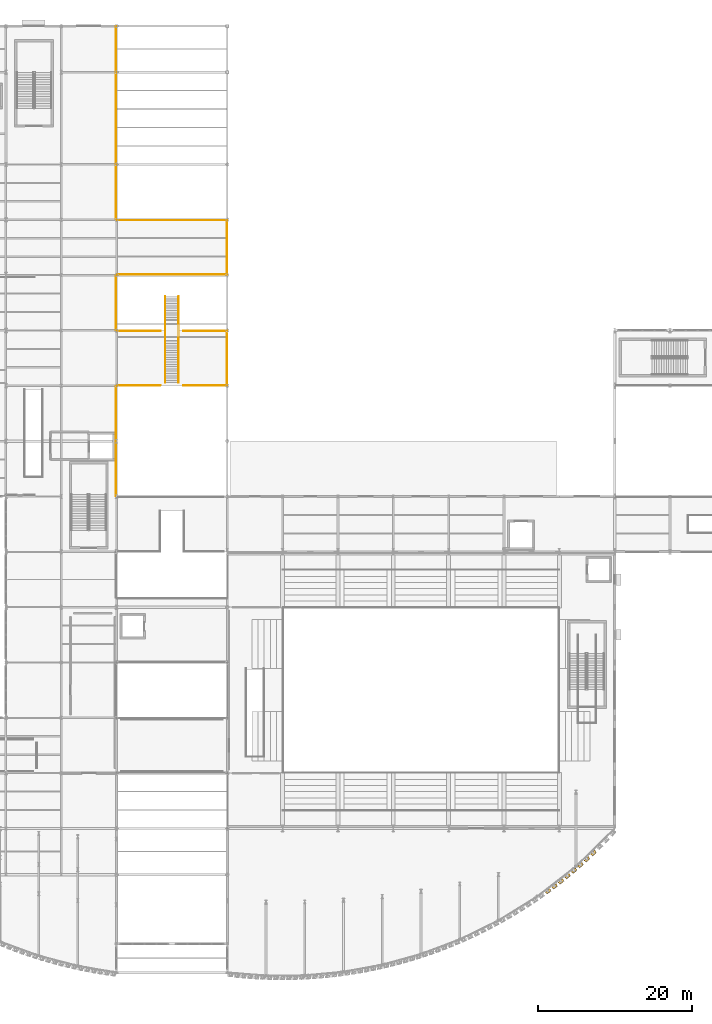
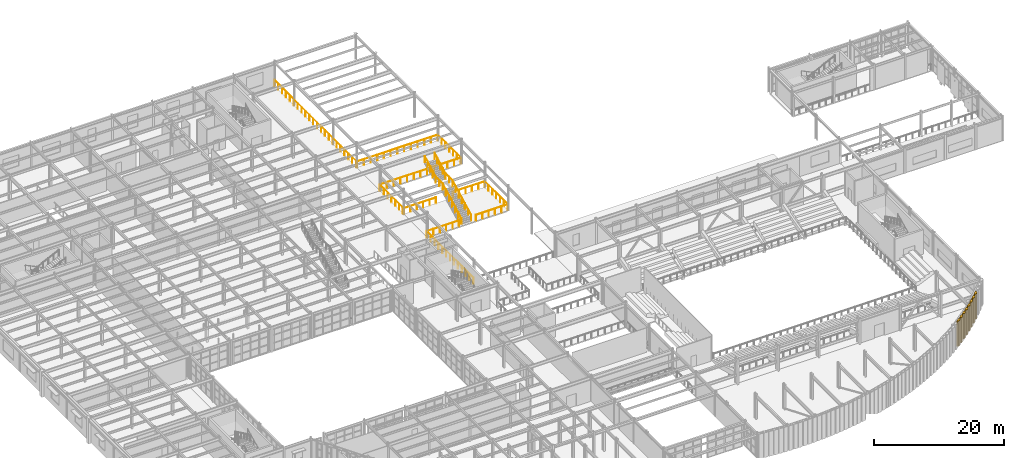
# One storey, part 118 of 121: 13 railings, 8 coverings.
"""IFC4 building model written with IfcOpenShell, lengths in metres."""

from ifc_helpers import new_model, si_unit, direction, frame, origin, origin_2d, place, context, subcontext, project, spatial, polyline, circle, outline, extrude, material, layer, layer_set, type_object, element, save


model = new_model("IFC4")

# Units and contexts
model_context = context("Model", 3, precision=1e-05, world=origin(), true_north=direction((0.0, 1.0)))
body_context = subcontext(model_context, "Body", "Model", "MODEL_VIEW")
ifc_project = project(units=[si_unit("LENGTHUNIT", "METRE"), si_unit("AREAUNIT", "SQUARE_METRE"), si_unit("VOLUMEUNIT", "CUBIC_METRE"), si_unit("PLANEANGLEUNIT", "RADIAN"), si_unit("MASSUNIT", "GRAM", prefix="KILO")], contexts=[model_context])

# Site, building, storey
site_placement = place(None, origin())
site = spatial("IfcSite", under=ifc_project, at=site_placement, CompositionType="ELEMENT")
building_placement = place(site_placement, origin())
building = spatial("IfcBuilding", under=site, at=building_placement, Name="Solvadek Multi-Sports Hall", CompositionType="ELEMENT")
storey_placement = place(building_placement, frame((0.0, 0.0, 4.800048828125)))
storey = spatial("IfcBuildingStorey", under=building, at=storey_placement, Name="L01", CompositionType="ELEMENT", Elevation=4.800048828125)

# Coverings
ifc_material_1 = material(Name="Perforated champagne-bronze anodised aluminium", Category="aluminium")
ifc_layer = layer(ifc_material_1, 0.06494140625, Name="Perforated champagne-bronze anodised aluminium")
ifc_layer_set = layer_set([ifc_layer], Name="Perforated champagne-bronze anodised aluminium")
covering_type = type_object("IfcCoveringType", Name="ENV-COV-FLUTED", PredefinedType="CLADDING", material=ifc_layer_set)
covering_1_placement = place(storey_placement, frame((0.0, 0.0, 0.010009765625)))
element("IfcCovering", 1, at=covering_1_placement, inside=storey, type_object=covering_type, Name="L01 Perforated Bronze Half-Cylinder Fluted Shell #206", PredefinedType="CLADDING", context=body_context, shape_type="SweptSolid", body=[
    extrude(outline(polyline([(128.371337890625, -1.793701171875), (128.4375, -1.939208984375), (128.443115234375, -2.09912109375), (128.38671875, -2.248779296875), (128.277587890625, -2.36572265625), (128.132080078125, -2.431884765625), (127.97216796875, -2.4375), (127.822265625, -2.38134765625), (127.705322265625, -2.272216796875), (127.75830078125, -2.234130859375), (127.67236328125, -2.326171875), (127.64208984375, -2.373291015625), (127.67236328125, -2.36865234375), (127.75830078125, -2.31298828125), (127.88671875, -2.214599609375), (128.038330078125, -2.088623046875), (128.18994140625, -1.9541015625), (128.318603515625, -1.83154296875), (128.371337890625, -1.793701171875)])), origin(), (0.0, 0.0, 1.0), 4.77001953125),
])
covering_2_placement = place(storey_placement, frame((0.0, 0.0, 0.010009765625)))
element("IfcCovering", 2, at=covering_2_placement, inside=storey, type_object=covering_type, Name="L01 Perforated Bronze Half-Cylinder Fluted Shell #209", PredefinedType="CLADDING", context=body_context, shape_type="SweptSolid", body=[
    extrude(outline(polyline([(129.205322265625, -1.15234375), (129.27685546875, -1.29541015625), (129.2880859375, -1.455078125), (129.2373046875, -1.606689453125), (129.13232421875, -1.7275390625), (128.9892578125, -1.798828125), (128.82958984375, -1.810302734375), (128.677978515625, -1.759521484375), (128.55712890625, -1.654541015625), (128.6083984375, -1.61474609375), (128.52490234375, -1.702880859375), (128.49560546875, -1.74560546875), (128.52490234375, -1.736083984375), (128.6083984375, -1.676025390625), (128.733642578125, -1.574462890625), (128.881103515625, -1.44677734375), (129.02880859375, -1.3125), (129.154052734375, -1.192138671875), (129.205322265625, -1.15234375)])), origin(), (0.0, 0.0, 1.0), 4.77001953125),
])
covering_3_placement = place(storey_placement, frame((0.0, 0.0, 0.010009765625)))
element("IfcCovering", 3, at=covering_3_placement, inside=storey, type_object=covering_type, Name="L01 Perforated Bronze Half-Cylinder Fluted Shell #210", PredefinedType="CLADDING", context=body_context, shape_type="SweptSolid", body=[
    extrude(outline(polyline([(130.04541015625, -0.50146484375), (130.11669921875, -0.64453125), (130.1279296875, -0.80419921875), (130.077392578125, -0.955810546875), (129.972412109375, -1.07666015625), (129.8291015625, -1.148193359375), (129.669677734375, -1.1591796875), (129.517822265625, -1.108642578125), (129.397216796875, -1.003662109375), (129.448486328125, -0.9638671875), (129.364990234375, -1.05224609375), (129.335693359375, -1.0947265625), (129.364990234375, -1.08544921875), (129.448486328125, -1.025390625), (129.57373046875, -0.923583984375), (129.72119140625, -0.7958984375), (129.868896484375, -0.66162109375), (129.993896484375, -0.541259765625), (130.04541015625, -0.50146484375)])), origin(), (0.0, 0.0, 1.0), 4.77001953125),
])
covering_4_placement = place(storey_placement, frame((0.0, 0.0, 0.010009765625)))
element("IfcCovering", 4, at=covering_4_placement, inside=storey, type_object=covering_type, Name="L01 Perforated Bronze Half-Cylinder Fluted Shell #213", PredefinedType="CLADDING", context=body_context, shape_type="SweptSolid", body=[
    extrude(outline(polyline([(130.878662109375, 0.189208984375), (130.955322265625, 0.048828125), (130.972412109375, -0.1103515625), (130.927490234375, -0.263916015625), (130.8271484375, -0.38818359375), (130.686767578125, -0.465087890625), (130.527587890625, -0.482177734375), (130.3740234375, -0.43701171875), (130.24951171875, -0.336669921875), (130.29931640625, -0.294921875), (130.21826171875, -0.37939453125), (130.189697265625, -0.41748046875), (130.21826171875, -0.403076171875), (130.29931640625, -0.33837890625), (130.4208984375, -0.233642578125), (130.564208984375, -0.1044921875), (130.70751953125, 0.029296875), (130.828857421875, 0.1474609375), (130.878662109375, 0.189208984375)])), origin(), (0.0, 0.0, 1.0), 4.77001953125),
])
covering_5_placement = place(storey_placement, frame((0.0, 0.0, 0.010009765625)))
element("IfcCovering", 5, at=covering_5_placement, inside=storey, type_object=covering_type, Name="L01 Perforated Bronze Half-Cylinder Fluted Shell #214", PredefinedType="CLADDING", context=body_context, shape_type="SweptSolid", body=[
    extrude(outline(polyline([(131.71875, 0.891357421875), (131.79541015625, 0.7509765625), (131.8125, 0.591796875), (131.767578125, 0.4384765625), (131.6669921875, 0.313720703125), (131.526611328125, 0.237060546875), (131.36767578125, 0.219970703125), (131.214111328125, 0.26513671875), (131.089599609375, 0.365478515625), (131.139404296875, 0.406982421875), (131.058349609375, 0.32275390625), (131.02978515625, 0.284912109375), (131.058349609375, 0.29931640625), (131.139404296875, 0.36376953125), (131.260986328125, 0.468505859375), (131.404052734375, 0.59765625), (131.54736328125, 0.7314453125), (131.668701171875, 0.849609375), (131.71875, 0.891357421875)])), origin(), (0.0, 0.0, 1.0), 4.77001953125),
])
covering_6_placement = place(storey_placement, frame((0.0, 0.0, 0.010009765625)))
element("IfcCovering", 6, at=covering_6_placement, inside=storey, type_object=covering_type, Name="L01 Perforated Bronze Half-Cylinder Fluted Shell #217", PredefinedType="CLADDING", context=body_context, shape_type="SweptSolid", body=[
    extrude(outline(polyline([(132.55126953125, 1.635986328125), (132.63330078125, 1.498779296875), (132.656494140625, 1.34033203125), (132.6171875, 1.185302734375), (132.521728515625, 1.056884765625), (132.384521484375, 0.97509765625), (132.226318359375, 0.951904296875), (132.071044921875, 0.990966796875), (131.942626953125, 1.08642578125), (131.990966796875, 1.130126953125), (131.91259765625, 1.0498046875), (131.885009765625, 1.0166015625), (131.91259765625, 1.0361328125), (131.990966796875, 1.105224609375), (132.1083984375, 1.213134765625), (132.2470703125, 1.34375), (132.385498046875, 1.476806640625), (132.503173828125, 1.592529296875), (132.55126953125, 1.635986328125)])), origin(), (0.0, 0.0, 1.0), 4.77001953125),
])
covering_7_placement = place(storey_placement, frame((0.0, 0.0, 0.010009765625)))
element("IfcCovering", 7, at=covering_7_placement, inside=storey, type_object=covering_type, Name="L01 Perforated Bronze Half-Cylinder Fluted Shell #218", PredefinedType="CLADDING", context=body_context, shape_type="SweptSolid", body=[
    extrude(outline(polyline([(133.391357421875, 2.394775390625), (133.473388671875, 2.25732421875), (133.49658203125, 2.09912109375), (133.457275390625, 1.94384765625), (133.36181640625, 1.815673828125), (133.224609375, 1.733642578125), (133.066162109375, 1.71044921875), (132.9111328125, 1.74951171875), (132.78271484375, 1.84521484375), (132.8310546875, 1.888671875), (132.75244140625, 1.808349609375), (132.724853515625, 1.775390625), (132.75244140625, 1.794921875), (132.8310546875, 1.86376953125), (132.948486328125, 1.9716796875), (133.0869140625, 2.102294921875), (133.2255859375, 2.235595703125), (133.343017578125, 2.35107421875), (133.391357421875, 2.394775390625)])), origin(), (0.0, 0.0, 1.0), 4.77001953125),
])
covering_8_placement = place(storey_placement, frame((0.0, 0.0, 0.010009765625)))
element("IfcCovering", 8, at=covering_8_placement, inside=storey, type_object=covering_type, Name="L01 Perforated Bronze Half-Cylinder Fluted Shell #221", PredefinedType="CLADDING", context=body_context, shape_type="SweptSolid", body=[
    extrude(outline(polyline([(134.22314453125, 3.19921875), (134.310302734375, 3.065185546875), (134.33984375, 2.907958984375), (134.306884765625, 2.75146484375), (134.216552734375, 2.619384765625), (134.08251953125, 2.531982421875), (133.92529296875, 2.502685546875), (133.768798828125, 2.53564453125), (133.63671875, 2.6259765625), (133.68310546875, 2.67138671875), (133.607666015625, 2.59521484375), (133.5810546875, 2.567626953125), (133.607666015625, 2.59228515625), (133.68310546875, 2.666015625), (133.79638671875, 2.777099609375), (133.929931640625, 2.90869140625), (134.0634765625, 3.041015625), (134.176513671875, 3.15380859375), (134.22314453125, 3.19921875)])), origin(), (0.0, 0.0, 1.0), 4.77001953125),
])

# Railings
ifc_material_2 = material(Name="Steel E250 (250 MPa)", Category="steel")
railing_type = type_object("IfcRailingType", Name="INT-RAL-GRD115", PredefinedType="BALUSTRADE", material=ifc_material_2)
railing_1_placement = place(storey_placement, frame((80.06494140625, 64.0, 0.0)))
element("IfcRailing", 9, at=railing_1_placement, inside=storey, type_object=railing_type, Name="Stair ST-08 Balustrade Guard", PredefinedType="BALUSTRADE", context=body_context, shape_type="SweptSolid", body=[
    extrude(circle(Radius=0.02392578125, at=origin_2d()), frame((0.0, 0.0, 1.1259765625), z_axis=(0.0, 0.884916578004, 0.465749557138), x_axis=(-1.0, 0.0, 0.0)), (0.0, 0.0, 1.0), 6.441162109375),
    extrude(circle(Radius=0.02392578125, at=origin_2d()), frame((0.0, 5.699951171875, 4.1259765625), z_axis=(0.0, 1.0, 0.0), x_axis=(-1.0, 0.0, 0.0)), (0.0, 0.0, 1.0), 2.199951171875),
    extrude(circle(Radius=0.02392578125, at=origin_2d()), frame((0.0, 7.89990234375, 4.1259765625), z_axis=(0.0, 0.877893090839, 0.478856681124), x_axis=(-1.0, 0.0, 0.0)), (0.0, 0.0, 1.0), 3.759033203125),
    extrude(circle(Radius=0.02099609375, at=origin_2d()), origin(), (0.0, 0.0, 1.0), 1.101806640625),
    extrude(circle(Radius=0.02099609375, at=origin_2d()), frame((0.0, 0.949951171875, 0.5)), (0.0, 0.0, 1.0), 1.101806640625),
    extrude(circle(Radius=0.02099609375, at=origin_2d()), frame((0.0, 1.89990234375, 1.0)), (0.0, 0.0, 1.0), 1.101806640625),
    extrude(circle(Radius=0.02099609375, at=origin_2d()), frame((0.0, 2.85009765625, 1.5)), (0.0, 0.0, 1.0), 1.101806640625),
    extrude(circle(Radius=0.02099609375, at=origin_2d()), frame((0.0, 3.800048828125, 2.0)), (0.0, 0.0, 1.0), 1.101806640625),
    extrude(circle(Radius=0.02099609375, at=origin_2d()), frame((0.0, 4.75, 2.5)), (0.0, 0.0, 1.0), 1.101806640625),
    extrude(circle(Radius=0.02099609375, at=origin_2d()), frame((0.0, 5.699951171875, 3.0)), (0.0, 0.0, 1.0), 1.101806640625),
    extrude(circle(Radius=0.02099609375, at=origin_2d()), frame((0.0, 6.7998046875, 3.0)), (0.0, 0.0, 1.0), 1.101806640625),
    extrude(circle(Radius=0.02099609375, at=origin_2d()), frame((0.0, 7.89990234375, 3.0)), (0.0, 0.0, 1.0), 1.101806640625),
    extrude(circle(Radius=0.02099609375, at=origin_2d()), frame((0.0, 8.724853515625, 3.449951171875)), (0.0, 0.0, 1.0), 1.101806640625),
    extrude(circle(Radius=0.02099609375, at=origin_2d()), frame((0.0, 9.5498046875, 3.89990234375)), (0.0, 0.0, 1.0), 1.101806640625),
    extrude(circle(Radius=0.02099609375, at=origin_2d()), frame((0.0, 10.375, 4.35009765625)), (0.0, 0.0, 1.0), 1.101806640625),
    extrude(circle(Radius=0.02099609375, at=origin_2d()), frame((0.0, 11.199951171875, 4.800048828125)), (0.0, 0.0, 1.0), 1.101806640625),
])
railing_2_placement = place(storey_placement, frame((78.3349609375, 64.0, 0.0)))
element("IfcRailing", 10, at=railing_2_placement, inside=storey, type_object=railing_type, Name="Stair ST-08 Balustrade Guard", PredefinedType="BALUSTRADE", context=body_context, shape_type="SweptSolid", body=[
    extrude(circle(Radius=0.02392578125, at=origin_2d()), frame((0.0, 0.0, 1.1259765625), z_axis=(0.0, 0.884916578004, 0.465749557138), x_axis=(-1.0, 0.0, 0.0)), (0.0, 0.0, 1.0), 6.441162109375),
    extrude(circle(Radius=0.02392578125, at=origin_2d()), frame((0.0, 5.699951171875, 4.1259765625), z_axis=(0.0, 1.0, 0.0), x_axis=(-1.0, 0.0, 0.0)), (0.0, 0.0, 1.0), 2.199951171875),
    extrude(circle(Radius=0.02392578125, at=origin_2d()), frame((0.0, 7.89990234375, 4.1259765625), z_axis=(0.0, 0.877893090839, 0.478856681124), x_axis=(-1.0, 0.0, 0.0)), (0.0, 0.0, 1.0), 3.759033203125),
    extrude(circle(Radius=0.02099609375, at=origin_2d()), origin(), (0.0, 0.0, 1.0), 1.101806640625),
    extrude(circle(Radius=0.02099609375, at=origin_2d()), frame((0.0, 0.949951171875, 0.5)), (0.0, 0.0, 1.0), 1.101806640625),
    extrude(circle(Radius=0.02099609375, at=origin_2d()), frame((0.0, 1.89990234375, 1.0)), (0.0, 0.0, 1.0), 1.101806640625),
    extrude(circle(Radius=0.02099609375, at=origin_2d()), frame((0.0, 2.85009765625, 1.5)), (0.0, 0.0, 1.0), 1.101806640625),
    extrude(circle(Radius=0.02099609375, at=origin_2d()), frame((0.0, 3.800048828125, 2.0)), (0.0, 0.0, 1.0), 1.101806640625),
    extrude(circle(Radius=0.02099609375, at=origin_2d()), frame((0.0, 4.75, 2.5)), (0.0, 0.0, 1.0), 1.101806640625),
    extrude(circle(Radius=0.02099609375, at=origin_2d()), frame((0.0, 5.699951171875, 3.0)), (0.0, 0.0, 1.0), 1.101806640625),
    extrude(circle(Radius=0.02099609375, at=origin_2d()), frame((0.0, 6.7998046875, 3.0)), (0.0, 0.0, 1.0), 1.101806640625),
    extrude(circle(Radius=0.02099609375, at=origin_2d()), frame((0.0, 7.89990234375, 3.0)), (0.0, 0.0, 1.0), 1.101806640625),
    extrude(circle(Radius=0.02099609375, at=origin_2d()), frame((0.0, 8.724853515625, 3.449951171875)), (0.0, 0.0, 1.0), 1.101806640625),
    extrude(circle(Radius=0.02099609375, at=origin_2d()), frame((0.0, 9.5498046875, 3.89990234375)), (0.0, 0.0, 1.0), 1.101806640625),
    extrude(circle(Radius=0.02099609375, at=origin_2d()), frame((0.0, 10.375, 4.35009765625)), (0.0, 0.0, 1.0), 1.101806640625),
    extrude(circle(Radius=0.02099609375, at=origin_2d()), frame((0.0, 11.199951171875, 4.800048828125)), (0.0, 0.0, 1.0), 1.101806640625),
])
railing_3_placement = place(storey_placement, frame((72.06005859375, 63.659912109375, 0.0)))
element("IfcRailing", 11, at=railing_3_placement, inside=storey, type_object=railing_type, Name="L01 Void Edge Balustrade Guard #5", PredefinedType="BALUSTRADE", context=body_context, shape_type="SweptSolid", body=[
    extrude(circle(Radius=0.02392578125, at=origin_2d()), frame((0.0, 0.0, 1.1259765625), z_axis=(1.0, 0.0, 0.0), x_axis=(0.0, 1.0, 0.0)), (0.0, 0.0, 1.0), 5.639892578125),
    extrude(circle(Radius=0.02099609375, at=origin_2d()), origin(), (0.0, 0.0, 1.0), 1.101806640625),
    extrude(circle(Radius=0.02099609375, at=origin_2d()), frame((1.1279296875, 0.0, 0.0)), (0.0, 0.0, 1.0), 1.101806640625),
    extrude(circle(Radius=0.02099609375, at=origin_2d()), frame((2.255859375, 0.0, 0.0)), (0.0, 0.0, 1.0), 1.101806640625),
    extrude(circle(Radius=0.02099609375, at=origin_2d()), frame((3.384033203125, 0.0, 0.0)), (0.0, 0.0, 1.0), 1.101806640625),
    extrude(circle(Radius=0.02099609375, at=origin_2d()), frame((4.511962890625, 0.0, 0.0)), (0.0, 0.0, 1.0), 1.101806640625),
    extrude(circle(Radius=0.02099609375, at=origin_2d()), frame((5.639892578125, 0.0, 0.0)), (0.0, 0.0, 1.0), 1.101806640625),
])
railing_4_placement = place(storey_placement, frame((80.699951171875, 63.659912109375, 0.0)))
element("IfcRailing", 12, at=railing_4_placement, inside=storey, type_object=railing_type, Name="L01 Void Edge Balustrade Guard #6", PredefinedType="BALUSTRADE", context=body_context, shape_type="SweptSolid", body=[
    extrude(circle(Radius=0.02392578125, at=origin_2d()), frame((0.0, 0.0, 1.1259765625), z_axis=(1.0, 0.0, 0.0), x_axis=(0.0, 1.0, 0.0)), (0.0, 0.0, 1.0), 5.64013671875),
    extrude(circle(Radius=0.02099609375, at=origin_2d()), origin(), (0.0, 0.0, 1.0), 1.101806640625),
    extrude(circle(Radius=0.02099609375, at=origin_2d()), frame((1.1279296875, 0.0, 0.0)), (0.0, 0.0, 1.0), 1.101806640625),
    extrude(circle(Radius=0.02099609375, at=origin_2d()), frame((2.256103515625, 0.0, 0.0)), (0.0, 0.0, 1.0), 1.101806640625),
    extrude(circle(Radius=0.02099609375, at=origin_2d()), frame((3.384033203125, 0.0, 0.0)), (0.0, 0.0, 1.0), 1.101806640625),
    extrude(circle(Radius=0.02099609375, at=origin_2d()), frame((4.51220703125, 0.0, 0.0)), (0.0, 0.0, 1.0), 1.101806640625),
    extrude(circle(Radius=0.02099609375, at=origin_2d()), frame((5.64013671875, 0.0, 0.0)), (0.0, 0.0, 1.0), 1.101806640625),
])
railing_5_placement = place(storey_placement, frame((72.06005859375, 70.739990234375, 0.0)))
element("IfcRailing", 13, at=railing_5_placement, inside=storey, type_object=railing_type, Name="L01 Void Edge Balustrade Guard #7", PredefinedType="BALUSTRADE", context=body_context, shape_type="SweptSolid", body=[
    extrude(circle(Radius=0.02392578125, at=origin_2d()), frame((0.0, 0.0, 1.1259765625), z_axis=(1.0, 0.0, 0.0), x_axis=(0.0, 1.0, 0.0)), (0.0, 0.0, 1.0), 5.639892578125),
    extrude(circle(Radius=0.02099609375, at=origin_2d()), origin(), (0.0, 0.0, 1.0), 1.101806640625),
    extrude(circle(Radius=0.02099609375, at=origin_2d()), frame((1.1279296875, 0.0, 0.0)), (0.0, 0.0, 1.0), 1.101806640625),
    extrude(circle(Radius=0.02099609375, at=origin_2d()), frame((2.255859375, 0.0, 0.0)), (0.0, 0.0, 1.0), 1.101806640625),
    extrude(circle(Radius=0.02099609375, at=origin_2d()), frame((3.384033203125, 0.0, 0.0)), (0.0, 0.0, 1.0), 1.101806640625),
    extrude(circle(Radius=0.02099609375, at=origin_2d()), frame((4.511962890625, 0.0, 0.0)), (0.0, 0.0, 1.0), 1.101806640625),
    extrude(circle(Radius=0.02099609375, at=origin_2d()), frame((5.639892578125, 0.0, 0.0)), (0.0, 0.0, 1.0), 1.101806640625),
])
railing_6_placement = place(storey_placement, frame((80.699951171875, 70.739990234375, 0.0)))
element("IfcRailing", 14, at=railing_6_placement, inside=storey, type_object=railing_type, Name="L01 Void Edge Balustrade Guard #8", PredefinedType="BALUSTRADE", context=body_context, shape_type="SweptSolid", body=[
    extrude(circle(Radius=0.02392578125, at=origin_2d()), frame((0.0, 0.0, 1.1259765625), z_axis=(1.0, 0.0, 0.0), x_axis=(0.0, 1.0, 0.0)), (0.0, 0.0, 1.0), 5.64013671875),
    extrude(circle(Radius=0.02099609375, at=origin_2d()), origin(), (0.0, 0.0, 1.0), 1.101806640625),
    extrude(circle(Radius=0.02099609375, at=origin_2d()), frame((1.1279296875, 0.0, 0.0)), (0.0, 0.0, 1.0), 1.101806640625),
    extrude(circle(Radius=0.02099609375, at=origin_2d()), frame((2.256103515625, 0.0, 0.0)), (0.0, 0.0, 1.0), 1.101806640625),
    extrude(circle(Radius=0.02099609375, at=origin_2d()), frame((3.384033203125, 0.0, 0.0)), (0.0, 0.0, 1.0), 1.101806640625),
    extrude(circle(Radius=0.02099609375, at=origin_2d()), frame((4.51220703125, 0.0, 0.0)), (0.0, 0.0, 1.0), 1.101806640625),
    extrude(circle(Radius=0.02099609375, at=origin_2d()), frame((5.64013671875, 0.0, 0.0)), (0.0, 0.0, 1.0), 1.101806640625),
])
railing_7_placement = place(storey_placement, frame((71.93994140625, 49.260009765625, 0.0)))
element("IfcRailing", 15, at=railing_7_placement, inside=storey, type_object=railing_type, Name="L01 Void Edge Balustrade Guard #11", PredefinedType="BALUSTRADE", context=body_context, shape_type="SweptSolid", body=[
    extrude(circle(Radius=0.02392578125, at=origin_2d()), frame((0.0, 0.0, 1.1259765625), z_axis=(0.0, 1.0, 0.0), x_axis=(-1.0, 0.0, 0.0)), (0.0, 0.0, 1.0), 14.280029296875),
    extrude(circle(Radius=0.02099609375, at=origin_2d()), origin(), (0.0, 0.0, 1.0), 1.101806640625),
    extrude(circle(Radius=0.02099609375, at=origin_2d()), frame((0.0, 1.18994140625, 0.0)), (0.0, 0.0, 1.0), 1.101806640625),
    extrude(circle(Radius=0.02099609375, at=origin_2d()), frame((0.0, 2.3798828125, 0.0)), (0.0, 0.0, 1.0), 1.101806640625),
    extrude(circle(Radius=0.02099609375, at=origin_2d()), frame((0.0, 3.570068359375, 0.0)), (0.0, 0.0, 1.0), 1.101806640625),
    extrude(circle(Radius=0.02099609375, at=origin_2d()), frame((0.0, 4.760009765625, 0.0)), (0.0, 0.0, 1.0), 1.101806640625),
    extrude(circle(Radius=0.02099609375, at=origin_2d()), frame((0.0, 5.949951171875, 0.0)), (0.0, 0.0, 1.0), 1.101806640625),
    extrude(circle(Radius=0.02099609375, at=origin_2d()), frame((0.0, 7.14013671875, 0.0)), (0.0, 0.0, 1.0), 1.101806640625),
    extrude(circle(Radius=0.02099609375, at=origin_2d()), frame((0.0, 8.330078125, 0.0)), (0.0, 0.0, 1.0), 1.101806640625),
    extrude(circle(Radius=0.02099609375, at=origin_2d()), frame((0.0, 9.52001953125, 0.0)), (0.0, 0.0, 1.0), 1.101806640625),
    extrude(circle(Radius=0.02099609375, at=origin_2d()), frame((0.0, 10.7099609375, 0.0)), (0.0, 0.0, 1.0), 1.101806640625),
    extrude(circle(Radius=0.02099609375, at=origin_2d()), frame((0.0, 11.89990234375, 0.0)), (0.0, 0.0, 1.0), 1.101806640625),
    extrude(circle(Radius=0.02099609375, at=origin_2d()), frame((0.0, 13.090087890625, 0.0)), (0.0, 0.0, 1.0), 1.101806640625),
    extrude(circle(Radius=0.02099609375, at=origin_2d()), frame((0.0, 14.280029296875, 0.0)), (0.0, 0.0, 1.0), 1.101806640625),
])
railing_8_placement = place(storey_placement, frame((71.93994140625, 70.860107421875, 0.0)))
element("IfcRailing", 16, at=railing_8_placement, inside=storey, type_object=railing_type, Name="L01 Void Edge Balustrade Guard #12", PredefinedType="BALUSTRADE", context=body_context, shape_type="SweptSolid", body=[
    extrude(circle(Radius=0.02392578125, at=origin_2d()), frame((0.0, 0.0, 1.1259765625), z_axis=(0.0, 1.0, 0.0), x_axis=(-1.0, 0.0, 0.0)), (0.0, 0.0, 1.0), 7.079833984375),
    extrude(circle(Radius=0.02099609375, at=origin_2d()), origin(), (0.0, 0.0, 1.0), 1.101806640625),
    extrude(circle(Radius=0.02099609375, at=origin_2d()), frame((0.0, 1.179931640625, 0.0)), (0.0, 0.0, 1.0), 1.101806640625),
    extrude(circle(Radius=0.02099609375, at=origin_2d()), frame((0.0, 2.35986328125, 0.0)), (0.0, 0.0, 1.0), 1.101806640625),
    extrude(circle(Radius=0.02099609375, at=origin_2d()), frame((0.0, 3.5400390625, 0.0)), (0.0, 0.0, 1.0), 1.101806640625),
    extrude(circle(Radius=0.02099609375, at=origin_2d()), frame((0.0, 4.719970703125, 0.0)), (0.0, 0.0, 1.0), 1.101806640625),
    extrude(circle(Radius=0.02099609375, at=origin_2d()), frame((0.0, 5.89990234375, 0.0)), (0.0, 0.0, 1.0), 1.101806640625),
    extrude(circle(Radius=0.02099609375, at=origin_2d()), frame((0.0, 7.079833984375, 0.0)), (0.0, 0.0, 1.0), 1.101806640625),
])
railing_9_placement = place(storey_placement, frame((71.93994140625, 85.260009765625, 0.0)))
element("IfcRailing", 17, at=railing_9_placement, inside=storey, type_object=railing_type, Name="L01 Void Edge Balustrade Guard #13", PredefinedType="BALUSTRADE", context=body_context, shape_type="SweptSolid", body=[
    extrude(circle(Radius=0.02392578125, at=origin_2d()), frame((0.0, 0.0, 1.1259765625), z_axis=(0.0, 1.0, 0.0), x_axis=(-1.0, 0.0, 0.0)), (0.0, 0.0, 1.0), 25.080078125),
    extrude(circle(Radius=0.02099609375, at=origin_2d()), origin(), (0.0, 0.0, 1.0), 1.101806640625),
    extrude(circle(Radius=0.02099609375, at=origin_2d()), frame((0.0, 1.1943359375, 0.0)), (0.0, 0.0, 1.0), 1.101806640625),
    extrude(circle(Radius=0.02099609375, at=origin_2d()), frame((0.0, 2.388671875, 0.0)), (0.0, 0.0, 1.0), 1.101806640625),
    extrude(circle(Radius=0.02099609375, at=origin_2d()), frame((0.0, 3.582763671875, 0.0)), (0.0, 0.0, 1.0), 1.101806640625),
    extrude(circle(Radius=0.02099609375, at=origin_2d()), frame((0.0, 4.777099609375, 0.0)), (0.0, 0.0, 1.0), 1.101806640625),
    extrude(circle(Radius=0.02099609375, at=origin_2d()), frame((0.0, 5.971435546875, 0.0)), (0.0, 0.0, 1.0), 1.101806640625),
    extrude(circle(Radius=0.02099609375, at=origin_2d()), frame((0.0, 7.165771484375, 0.0)), (0.0, 0.0, 1.0), 1.101806640625),
    extrude(circle(Radius=0.02099609375, at=origin_2d()), frame((0.0, 8.360107421875, 0.0)), (0.0, 0.0, 1.0), 1.101806640625),
    extrude(circle(Radius=0.02099609375, at=origin_2d()), frame((0.0, 9.55419921875, 0.0)), (0.0, 0.0, 1.0), 1.101806640625),
    extrude(circle(Radius=0.02099609375, at=origin_2d()), frame((0.0, 10.74853515625, 0.0)), (0.0, 0.0, 1.0), 1.101806640625),
    extrude(circle(Radius=0.02099609375, at=origin_2d()), frame((0.0, 11.94287109375, 0.0)), (0.0, 0.0, 1.0), 1.101806640625),
    extrude(circle(Radius=0.02099609375, at=origin_2d()), frame((0.0, 13.13720703125, 0.0)), (0.0, 0.0, 1.0), 1.101806640625),
    extrude(circle(Radius=0.02099609375, at=origin_2d()), frame((0.0, 14.33154296875, 0.0)), (0.0, 0.0, 1.0), 1.101806640625),
    extrude(circle(Radius=0.02099609375, at=origin_2d()), frame((0.0, 15.52587890625, 0.0)), (0.0, 0.0, 1.0), 1.101806640625),
    extrude(circle(Radius=0.02099609375, at=origin_2d()), frame((0.0, 16.719970703125, 0.0)), (0.0, 0.0, 1.0), 1.101806640625),
    extrude(circle(Radius=0.02099609375, at=origin_2d()), frame((0.0, 17.914306640625, 0.0)), (0.0, 0.0, 1.0), 1.101806640625),
    extrude(circle(Radius=0.02099609375, at=origin_2d()), frame((0.0, 19.108642578125, 0.0)), (0.0, 0.0, 1.0), 1.101806640625),
    extrude(circle(Radius=0.02099609375, at=origin_2d()), frame((0.0, 20.302978515625, 0.0)), (0.0, 0.0, 1.0), 1.101806640625),
    extrude(circle(Radius=0.02099609375, at=origin_2d()), frame((0.0, 21.497314453125, 0.0)), (0.0, 0.0, 1.0), 1.101806640625),
    extrude(circle(Radius=0.02099609375, at=origin_2d()), frame((0.0, 22.69140625, 0.0)), (0.0, 0.0, 1.0), 1.101806640625),
    extrude(circle(Radius=0.02099609375, at=origin_2d()), frame((0.0, 23.8857421875, 0.0)), (0.0, 0.0, 1.0), 1.101806640625),
    extrude(circle(Radius=0.02099609375, at=origin_2d()), frame((0.0, 25.080078125, 0.0)), (0.0, 0.0, 1.0), 1.101806640625),
])
railing_10_placement = place(storey_placement, frame((86.340087890625, 63.659912109375, 0.0)))
element("IfcRailing", 18, at=railing_10_placement, inside=storey, type_object=railing_type, Name="L01 Void Edge Balustrade Guard #23", PredefinedType="BALUSTRADE", context=body_context, shape_type="SweptSolid", body=[
    extrude(circle(Radius=0.02392578125, at=origin_2d()), frame((0.0, 0.0, 1.1259765625), z_axis=(0.0, 1.0, 0.0), x_axis=(-1.0, 0.0, 0.0)), (0.0, 0.0, 1.0), 7.080078125),
    extrude(circle(Radius=0.02099609375, at=origin_2d()), origin(), (0.0, 0.0, 1.0), 1.101806640625),
    extrude(circle(Radius=0.02099609375, at=origin_2d()), frame((0.0, 1.179931640625, 0.0)), (0.0, 0.0, 1.0), 1.101806640625),
    extrude(circle(Radius=0.02099609375, at=origin_2d()), frame((0.0, 2.360107421875, 0.0)), (0.0, 0.0, 1.0), 1.101806640625),
    extrude(circle(Radius=0.02099609375, at=origin_2d()), frame((0.0, 3.5400390625, 0.0)), (0.0, 0.0, 1.0), 1.101806640625),
    extrude(circle(Radius=0.02099609375, at=origin_2d()), frame((0.0, 4.719970703125, 0.0)), (0.0, 0.0, 1.0), 1.101806640625),
    extrude(circle(Radius=0.02099609375, at=origin_2d()), frame((0.0, 5.900146484375, 0.0)), (0.0, 0.0, 1.0), 1.101806640625),
    extrude(circle(Radius=0.02099609375, at=origin_2d()), frame((0.0, 7.080078125, 0.0)), (0.0, 0.0, 1.0), 1.101806640625),
])
railing_11_placement = place(storey_placement, frame((86.340087890625, 78.06005859375, 0.0)))
element("IfcRailing", 19, at=railing_11_placement, inside=storey, type_object=railing_type, Name="L01 Void Edge Balustrade Guard #24", PredefinedType="BALUSTRADE", context=body_context, shape_type="SweptSolid", body=[
    extrude(circle(Radius=0.02392578125, at=origin_2d()), frame((0.0, 0.0, 1.1259765625), z_axis=(0.0, 1.0, 0.0), x_axis=(-1.0, 0.0, 0.0)), (0.0, 0.0, 1.0), 7.079833984375),
    extrude(circle(Radius=0.02099609375, at=origin_2d()), origin(), (0.0, 0.0, 1.0), 1.101806640625),
    extrude(circle(Radius=0.02099609375, at=origin_2d()), frame((0.0, 1.179931640625, 0.0)), (0.0, 0.0, 1.0), 1.101806640625),
    extrude(circle(Radius=0.02099609375, at=origin_2d()), frame((0.0, 2.35986328125, 0.0)), (0.0, 0.0, 1.0), 1.101806640625),
    extrude(circle(Radius=0.02099609375, at=origin_2d()), frame((0.0, 3.5400390625, 0.0)), (0.0, 0.0, 1.0), 1.101806640625),
    extrude(circle(Radius=0.02099609375, at=origin_2d()), frame((0.0, 4.719970703125, 0.0)), (0.0, 0.0, 1.0), 1.101806640625),
    extrude(circle(Radius=0.02099609375, at=origin_2d()), frame((0.0, 5.89990234375, 0.0)), (0.0, 0.0, 1.0), 1.101806640625),
    extrude(circle(Radius=0.02099609375, at=origin_2d()), frame((0.0, 7.079833984375, 0.0)), (0.0, 0.0, 1.0), 1.101806640625),
])
railing_12_placement = place(storey_placement, frame((72.06005859375, 78.06005859375, 0.0)))
element("IfcRailing", 20, at=railing_12_placement, inside=storey, type_object=railing_type, Name="L01 Void Edge Balustrade Guard #52", PredefinedType="BALUSTRADE", context=body_context, shape_type="SweptSolid", body=[
    extrude(circle(Radius=0.02392578125, at=origin_2d()), frame((0.0, 0.0, 1.1259765625), z_axis=(1.0, 0.0, 0.0), x_axis=(0.0, 1.0, 0.0)), (0.0, 0.0, 1.0), 14.280029296875),
    extrude(circle(Radius=0.02099609375, at=origin_2d()), origin(), (0.0, 0.0, 1.0), 1.101806640625),
    extrude(circle(Radius=0.02099609375, at=origin_2d()), frame((1.18994140625, 0.0, 0.0)), (0.0, 0.0, 1.0), 1.101806640625),
    extrude(circle(Radius=0.02099609375, at=origin_2d()), frame((2.3798828125, 0.0, 0.0)), (0.0, 0.0, 1.0), 1.101806640625),
    extrude(circle(Radius=0.02099609375, at=origin_2d()), frame((3.570068359375, 0.0, 0.0)), (0.0, 0.0, 1.0), 1.101806640625),
    extrude(circle(Radius=0.02099609375, at=origin_2d()), frame((4.760009765625, 0.0, 0.0)), (0.0, 0.0, 1.0), 1.101806640625),
    extrude(circle(Radius=0.02099609375, at=origin_2d()), frame((5.949951171875, 0.0, 0.0)), (0.0, 0.0, 1.0), 1.101806640625),
    extrude(circle(Radius=0.02099609375, at=origin_2d()), frame((7.14013671875, 0.0, 0.0)), (0.0, 0.0, 1.0), 1.101806640625),
    extrude(circle(Radius=0.02099609375, at=origin_2d()), frame((8.330078125, 0.0, 0.0)), (0.0, 0.0, 1.0), 1.101806640625),
    extrude(circle(Radius=0.02099609375, at=origin_2d()), frame((9.52001953125, 0.0, 0.0)), (0.0, 0.0, 1.0), 1.101806640625),
    extrude(circle(Radius=0.02099609375, at=origin_2d()), frame((10.7099609375, 0.0, 0.0)), (0.0, 0.0, 1.0), 1.101806640625),
    extrude(circle(Radius=0.02099609375, at=origin_2d()), frame((11.89990234375, 0.0, 0.0)), (0.0, 0.0, 1.0), 1.101806640625),
    extrude(circle(Radius=0.02099609375, at=origin_2d()), frame((13.090087890625, 0.0, 0.0)), (0.0, 0.0, 1.0), 1.101806640625),
    extrude(circle(Radius=0.02099609375, at=origin_2d()), frame((14.280029296875, 0.0, 0.0)), (0.0, 0.0, 1.0), 1.101806640625),
])
railing_13_placement = place(storey_placement, frame((72.06005859375, 85.139892578125, 0.0)))
element("IfcRailing", 21, at=railing_13_placement, inside=storey, type_object=railing_type, Name="L01 Void Edge Balustrade Guard #53", PredefinedType="BALUSTRADE", context=body_context, shape_type="SweptSolid", body=[
    extrude(circle(Radius=0.02392578125, at=origin_2d()), frame((0.0, 0.0, 1.1259765625), z_axis=(1.0, 0.0, 0.0), x_axis=(0.0, 1.0, 0.0)), (0.0, 0.0, 1.0), 14.280029296875),
    extrude(circle(Radius=0.02099609375, at=origin_2d()), origin(), (0.0, 0.0, 1.0), 1.101806640625),
    extrude(circle(Radius=0.02099609375, at=origin_2d()), frame((1.18994140625, 0.0, 0.0)), (0.0, 0.0, 1.0), 1.101806640625),
    extrude(circle(Radius=0.02099609375, at=origin_2d()), frame((2.3798828125, 0.0, 0.0)), (0.0, 0.0, 1.0), 1.101806640625),
    extrude(circle(Radius=0.02099609375, at=origin_2d()), frame((3.570068359375, 0.0, 0.0)), (0.0, 0.0, 1.0), 1.101806640625),
    extrude(circle(Radius=0.02099609375, at=origin_2d()), frame((4.760009765625, 0.0, 0.0)), (0.0, 0.0, 1.0), 1.101806640625),
    extrude(circle(Radius=0.02099609375, at=origin_2d()), frame((5.949951171875, 0.0, 0.0)), (0.0, 0.0, 1.0), 1.101806640625),
    extrude(circle(Radius=0.02099609375, at=origin_2d()), frame((7.14013671875, 0.0, 0.0)), (0.0, 0.0, 1.0), 1.101806640625),
    extrude(circle(Radius=0.02099609375, at=origin_2d()), frame((8.330078125, 0.0, 0.0)), (0.0, 0.0, 1.0), 1.101806640625),
    extrude(circle(Radius=0.02099609375, at=origin_2d()), frame((9.52001953125, 0.0, 0.0)), (0.0, 0.0, 1.0), 1.101806640625),
    extrude(circle(Radius=0.02099609375, at=origin_2d()), frame((10.7099609375, 0.0, 0.0)), (0.0, 0.0, 1.0), 1.101806640625),
    extrude(circle(Radius=0.02099609375, at=origin_2d()), frame((11.89990234375, 0.0, 0.0)), (0.0, 0.0, 1.0), 1.101806640625),
    extrude(circle(Radius=0.02099609375, at=origin_2d()), frame((13.090087890625, 0.0, 0.0)), (0.0, 0.0, 1.0), 1.101806640625),
    extrude(circle(Radius=0.02099609375, at=origin_2d()), frame((14.280029296875, 0.0, 0.0)), (0.0, 0.0, 1.0), 1.101806640625),
])

save(model, "model.ifc")
